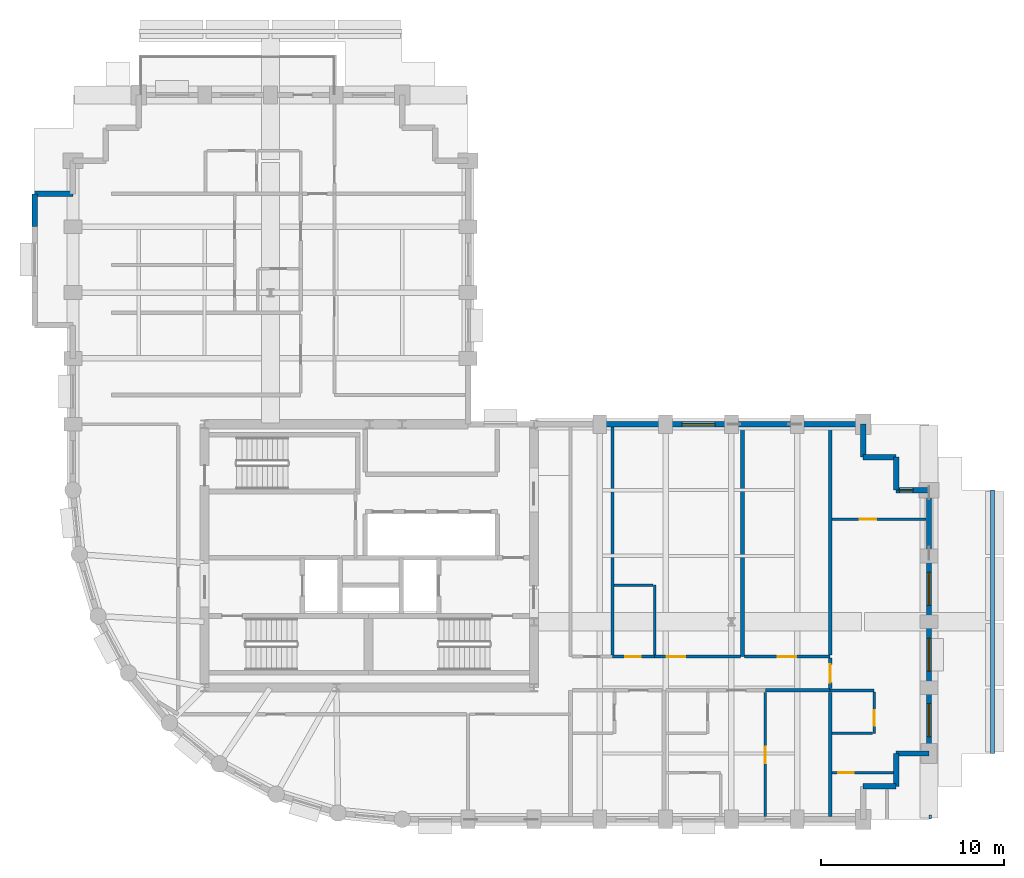
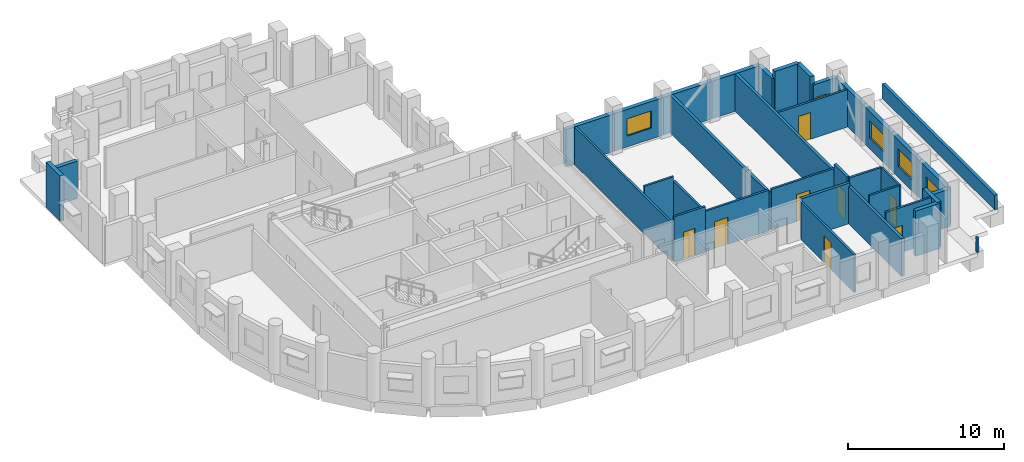
# One storey, part 6 of 10: 36 walls, 8 doors, 5 windows, 13 openings.
"""IFC4 building model written with IfcOpenShell, lengths in metres."""

from ifc_helpers import new_model, si_unit, direction, frame, frame_2d, origin, place, context, subcontext, project, spatial, rectangle, extrude, material, layer, layer_set, type_object, element, fill, save


model = new_model("IFC4")

# Units and contexts
model_context = context("Model", 3, precision=1e-05, world=origin(), true_north=direction((0.0, 1.0)))
body_context = subcontext(model_context, "Body", "Model", "MODEL_VIEW")
ifc_project = project(units=[si_unit("LENGTHUNIT", "METRE"), si_unit("AREAUNIT", "SQUARE_METRE"), si_unit("VOLUMEUNIT", "CUBIC_METRE"), si_unit("PLANEANGLEUNIT", "RADIAN"), si_unit("MASSUNIT", "GRAM", prefix="KILO")], contexts=[model_context])

# Site, building, storey
site_placement = place(None, origin())
site = spatial("IfcSite", under=ifc_project, at=site_placement, CompositionType="ELEMENT")
building_placement = place(site_placement, origin())
building = spatial("IfcBuilding", under=site, at=building_placement, Name="Solnavia Interchange Tower", CompositionType="ELEMENT")
storey_placement = place(building_placement, frame((0.0, 0.0, 127.60009765625)))
storey = spatial("IfcBuildingStorey", under=building, at=storey_placement, Name="L31", CompositionType="ELEMENT", Elevation=127.60009765625)

# Walls
ifc_material_1 = material(Name="Gypsum Acoustic Twin-Stud & Mineral Wool", Category="gypsum")
ifc_layer_1 = layer(ifc_material_1, 0.199951171875)
ifc_layer_set_1 = layer_set([ifc_layer_1], Name="Gypsum Acoustic Twin-Stud & Mineral Wool")
wall_type_1 = type_object("IfcWallType", Name="Wall-ApartmentParty-200", PredefinedType="PARTITIONING", material=ifc_layer_set_1)
wall_1_placement = place(storey_placement, frame((45.050048828125, 10.64990234375, 0.0), z_axis=(0.0, 0.0, 1.0), x_axis=(1.0, 0.0, 0.0)))
element("IfcWall", 1, at=wall_1_placement, inside=storey, type_object=wall_type_1, Name="PTW-L31-23 Interior partition wall", PredefinedType="PARTITIONING", context=body_context, shape_type="SweptSolid", body=[
    extrude(rectangle(XDim=3.550048828125, YDim=0.199951171875, at=frame_2d((1.77490234375, 0.0))), origin(), (0.0, 0.0, 1.0), 3.169921875),
])
wall_2_placement = place(storey_placement, frame((43.800048828125, 12.5, 0.0), z_axis=(0.0, 0.0, 1.0), x_axis=(0.0, 1.0, 0.0)))
element("IfcWall", 2, at=wall_2_placement, inside=storey, type_object=wall_type_1, Name="PTW-L31-27 Interior partition wall", PredefinedType="PARTITIONING", context=body_context, shape_type="SweptSolid", body=[
    extrude(rectangle(XDim=12.5458984375, YDim=0.199951171875, at=frame_2d((6.27294921875, 0.0))), origin(), (0.0, 0.0, 1.0), 2.929931640625),
])
wall_3_placement = place(storey_placement, frame((48.60009765625, 3.75390625, 0.0), z_axis=(0.0, 0.0, 1.0), x_axis=(0.0, 1.0, 0.0)))
element("IfcWall", 3, at=wall_3_placement, inside=storey, type_object=wall_type_1, Name="PTW-L31-30 Interior partition wall", PredefinedType="PARTITIONING", context=body_context, shape_type="SweptSolid", body=[
    extrude(rectangle(XDim=6.7919921875, YDim=0.199951171875, at=frame_2d((3.39599609375, 0.0))), origin(), (0.0, 0.0, 1.0), 2.929931640625),
])
wall_4_placement = place(storey_placement, frame((48.60009765625, 12.5791015625, 0.0), z_axis=(0.0, 0.0, 1.0), x_axis=(0.0, 1.0, 0.0)))
element("IfcWall", 4, at=wall_4_placement, inside=storey, type_object=wall_type_1, Name="PTW-L31-31 Interior partition wall", PredefinedType="PARTITIONING", context=body_context, shape_type="SweptSolid", body=[
    extrude(rectangle(XDim=12.466796875, YDim=0.199951171875, at=frame_2d((6.2333984375, 0.0))), origin(), (0.0, 0.0, 1.0), 2.929931640625),
])

# Wall, opening, door
wall_5_placement = place(storey_placement, frame((48.60009765625, 10.75390625, 0.0), z_axis=(0.0, 0.0, 1.0), x_axis=(0.0, 1.0, 0.0)))
wall_5 = element("IfcWall", 5, at=wall_5_placement, inside=storey, type_object=wall_type_1, Name="PTW-L31-32 Interior partition wall", PredefinedType="PARTITIONING", context=body_context, shape_type="SweptSolid", body=[
    extrude(rectangle(XDim=1.6669921875, YDim=0.199951171875, at=frame_2d((0.83349609375, 0.0))), origin(), (0.0, 0.0, 1.0), 3.534912109375),
])
opening_1_placement = place(wall_5_placement, frame((0.31396484375, 0.0, 0.0)))
opening_1 = element("IfcOpeningElement", 6, at=opening_1_placement, cuts=wall_5, Name="Opening DR-06", PredefinedType="OPENING", context=body_context, shape_type="SweptSolid", body=[
    extrude(rectangle(XDim=1.0, YDim=2.10009765625, at=frame_2d((0.5, 1.050048828125))), frame((0.0, 0.10986328125, 0.0), z_axis=(0.0, -1.0, 0.0), x_axis=(1.0, 0.0, 0.0)), (0.0, 0.0, 1.0), 0.219970703125),
])
ifc_material_2 = material(Name="Engineered Timber Acoustic Fire Door", Category="wood")
door_type_1 = type_object("IfcDoorType", Name="Door-FlatEntry-1000x2100", OperationType="SINGLE_SWING_LEFT", PredefinedType="DOOR", material=ifc_material_2)
door_1_placement = place(opening_1_placement, origin())
door_1 = element("IfcDoor", 7, at=door_1_placement, inside=storey, type_object=door_type_1, Name="DR-L31-14 Interior room door", OperationType="SINGLE_SWING_RIGHT", OverallHeight=2.10009765625, OverallWidth=1.0, PredefinedType="DOOR", context=body_context, shape_type="SweptSolid", body=[
    extrude(rectangle(XDim=1.0, YDim=2.10009765625, at=frame_2d((0.5, 1.050048828125))), frame((0.0, 0.02490234375, 0.0), z_axis=(0.0, -1.0, 0.0), x_axis=(1.0, 0.0, 0.0)), (0.0, 0.0, 1.0), 0.050048828125),
])
fill(opening_1, door_1)

# Walls
ifc_material_3 = material(Name="Concrete C40/50", Category="concrete")
ifc_layer_2 = layer(ifc_material_3, 0.300048828125)
ifc_layer_set_2 = layer_set([ifc_layer_2], Name="Concrete C40/50")
wall_type_2 = type_object("IfcWallType", Name="Wall-ExtSpandrel-300", PredefinedType="STANDARD", material=ifc_layer_set_2)
for number, where, z_axis, x_axis, name in (
    (8, (52.199951171875, 5.39990234375, 0.0), (0.0, 0.0, 1.0), (-1.0, 0.0, 0.0), "EXW-L31-09 Exterior precast spandrel wall"),
    (9, (52.199951171875, 7.199951171875, 0.0), (0.0, 0.0, 1.0), (0.0, -1.0, 0.0), "EXW-L31-10 Exterior precast spandrel wall"),
):
    element("IfcWall", number, at=place(storey_placement, frame(where, z_axis=z_axis, x_axis=x_axis)), inside=storey, type_object=wall_type_2, Name=name, PredefinedType="STANDARD", context=body_context, shape_type="SweptSolid", body=[
        extrude(rectangle(XDim=1.800048828125, YDim=0.300048828125, at=frame_2d((0.89990234375, 0.0))), origin(), (0.0, 0.0, 1.0), 3.534912109375),
    ])
wall_6_placement = place(storey_placement, frame((54.0, 7.199951171875, 0.0), z_axis=(0.0, 0.0, 1.0), x_axis=(-1.0, 0.0, 0.0)))
element("IfcWall", 10, at=wall_6_placement, inside=storey, type_object=wall_type_2, Name="EXW-L31-11 Exterior precast spandrel wall", PredefinedType="STANDARD", context=body_context, shape_type="SweptSolid", body=[
    extrude(rectangle(XDim=1.800048828125, YDim=0.300048828125, at=frame_2d((0.89990234375, 0.0))), origin(), (0.0, 0.0, 1.0), 2.929931640625),
])

# Wall, opening, window
wall_7_placement = place(storey_placement, frame((54.0, 10.800048828125, 0.0), z_axis=(0.0, 0.0, 1.0), x_axis=(0.0, -1.0, 0.0)))
wall_7 = element("IfcWall", 11, at=wall_7_placement, inside=storey, type_object=wall_type_2, Name="EXW-L31-12 Exterior precast spandrel wall", PredefinedType="STANDARD", context=body_context, shape_type="SweptSolid", body=[
    extrude(rectangle(XDim=3.60009765625, YDim=0.300048828125, at=frame_2d((1.800048828125, 0.0))), origin(), (0.0, 0.0, 1.0), 2.929931640625),
])
opening_2_placement = place(wall_7_placement, frame((0.875, 0.0, 0.85009765625)))
opening_2 = element("IfcOpeningElement", 12, at=opening_2_placement, cuts=wall_7, Name="Opening WIN-02", PredefinedType="OPENING", context=body_context, shape_type="SweptSolid", body=[
    extrude(rectangle(XDim=1.800048828125, YDim=1.35009765625, at=frame_2d((0.89990234375, 0.675048828125))), frame((0.0, 0.16015625, 0.0), z_axis=(0.0, -1.0, 0.0), x_axis=(1.0, 0.0, 0.0)), (0.0, 0.0, 1.0), 0.320068359375),
])
ifc_material_4 = material(Name="Thermal-Break Aluminium & Low-E Glass", Category="aluminium")
window_type_1 = type_object("IfcWindowType", Name="Window-Ribbon-1800x1350", PartitioningType="SINGLE_PANEL", PredefinedType="WINDOW", material=ifc_material_4)
window_1_placement = place(opening_2_placement, origin())
window_1 = element("IfcWindow", 13, at=window_1_placement, inside=storey, type_object=window_type_1, Name="WIN-L31-12 Facade ribbon window", OverallHeight=1.35009765625, OverallWidth=1.800048828125, PartitioningType="SINGLE_PANEL", PredefinedType="WINDOW", context=body_context, shape_type="SweptSolid", body=[
    extrude(rectangle(XDim=1.800048828125, YDim=1.35009765625, at=frame_2d((0.89990234375, 0.675048828125))), frame((0.0, 0.030029296875, 0.0), z_axis=(0.0, -1.0, 0.0), x_axis=(1.0, 0.0, 0.0)), (0.0, 0.0, 1.0), 0.06005859375),
])
fill(opening_2, window_1)

wall_8_placement = place(storey_placement, frame((54.0, 14.39990234375, 0.0), z_axis=(0.0, 0.0, 1.0), x_axis=(0.0, -1.0, 0.0)))
wall_8 = element("IfcWall", 14, at=wall_8_placement, inside=storey, type_object=wall_type_2, Name="EXW-L31-13 Exterior precast spandrel wall", PredefinedType="STANDARD", context=body_context, shape_type="SweptSolid", body=[
    extrude(rectangle(XDim=3.599853515625, YDim=0.300048828125, at=frame_2d((1.7998046875, 0.0))), origin(), (0.0, 0.0, 1.0), 2.929931640625),
])
opening_3_placement = place(wall_8_placement, frame((0.89990234375, 0.0, 0.85009765625)))
opening_3 = element("IfcOpeningElement", 15, at=opening_3_placement, cuts=wall_8, Name="Opening WIN-02", PredefinedType="OPENING", context=body_context, shape_type="SweptSolid", body=[
    extrude(rectangle(XDim=1.800048828125, YDim=1.35009765625, at=frame_2d((0.89990234375, 0.675048828125))), frame((0.0, 0.16015625, 0.0), z_axis=(0.0, -1.0, 0.0), x_axis=(1.0, 0.0, 0.0)), (0.0, 0.0, 1.0), 0.320068359375),
])
window_2_placement = place(opening_3_placement, origin())
window_2 = element("IfcWindow", 16, at=window_2_placement, inside=storey, type_object=window_type_1, Name="WIN-L31-13 Facade ribbon window", OverallHeight=1.35009765625, OverallWidth=1.800048828125, PartitioningType="SINGLE_PANEL", PredefinedType="WINDOW", context=body_context, shape_type="SweptSolid", body=[
    extrude(rectangle(XDim=1.800048828125, YDim=1.35009765625, at=frame_2d((0.89990234375, 0.675048828125))), frame((0.0, 0.030029296875, 0.0), z_axis=(0.0, -1.0, 0.0), x_axis=(1.0, 0.0, 0.0)), (0.0, 0.0, 1.0), 0.06005859375),
])
fill(opening_3, window_2)

wall_9_placement = place(storey_placement, frame((54.0, 18.0, 0.0), z_axis=(0.0, 0.0, 1.0), x_axis=(0.0, -1.0, 0.0)))
wall_9 = element("IfcWall", 17, at=wall_9_placement, inside=storey, type_object=wall_type_2, Name="EXW-L31-14 Exterior precast spandrel wall", PredefinedType="STANDARD", context=body_context, shape_type="SweptSolid", body=[
    extrude(rectangle(XDim=3.60009765625, YDim=0.300048828125, at=frame_2d((1.800048828125, 0.0))), origin(), (0.0, 0.0, 1.0), 2.929931640625),
])
opening_4_placement = place(wall_9_placement, frame((0.89990234375, 0.0, 0.85009765625)))
opening_4 = element("IfcOpeningElement", 18, at=opening_4_placement, cuts=wall_9, Name="Opening WIN-02", PredefinedType="OPENING", context=body_context, shape_type="SweptSolid", body=[
    extrude(rectangle(XDim=1.800048828125, YDim=1.35009765625, at=frame_2d((0.89990234375, 0.675048828125))), frame((0.0, 0.16015625, 0.0), z_axis=(0.0, -1.0, 0.0), x_axis=(1.0, 0.0, 0.0)), (0.0, 0.0, 1.0), 0.320068359375),
])
window_3_placement = place(opening_4_placement, origin())
window_3 = element("IfcWindow", 19, at=window_3_placement, inside=storey, type_object=window_type_1, Name="WIN-L31-14 Facade ribbon window", OverallHeight=1.35009765625, OverallWidth=1.800048828125, PartitioningType="SINGLE_PANEL", PredefinedType="WINDOW", context=body_context, shape_type="SweptSolid", body=[
    extrude(rectangle(XDim=1.800048828125, YDim=1.35009765625, at=frame_2d((0.89990234375, 0.675048828125))), frame((0.0, 0.030029296875, 0.0), z_axis=(0.0, -1.0, 0.0), x_axis=(1.0, 0.0, 0.0)), (0.0, 0.0, 1.0), 0.06005859375),
])
fill(opening_4, window_3)

# Wall
wall_10_placement = place(storey_placement, frame((54.0, 21.60009765625, 0.0), z_axis=(0.0, 0.0, 1.0), x_axis=(0.0, -1.0, 0.0)))
element("IfcWall", 20, at=wall_10_placement, inside=storey, type_object=wall_type_2, Name="EXW-L31-15 Exterior precast spandrel wall", PredefinedType="STANDARD", context=body_context, shape_type="SweptSolid", body=[
    extrude(rectangle(XDim=3.60009765625, YDim=0.300048828125, at=frame_2d((1.800048828125, 0.0))), origin(), (0.0, 0.0, 1.0), 2.929931640625),
])

# Wall, opening, window
wall_11_placement = place(storey_placement, frame((52.199951171875, 21.60009765625, 0.0), z_axis=(0.0, 0.0, 1.0), x_axis=(1.0, 0.0, 0.0)))
wall_11 = element("IfcWall", 21, at=wall_11_placement, inside=storey, type_object=wall_type_2, Name="EXW-L31-16 Exterior precast spandrel wall", PredefinedType="STANDARD", context=body_context, shape_type="SweptSolid", body=[
    extrude(rectangle(XDim=1.800048828125, YDim=0.300048828125, at=frame_2d((0.89990234375, 0.0))), origin(), (0.0, 0.0, 1.0), 2.929931640625),
])
opening_5_placement = place(wall_11_placement, frame((0.179931640625, 0.0, 0.85009765625)))
opening_5 = element("IfcOpeningElement", 22, at=opening_5_placement, cuts=wall_11, Name="Opening WIN-08", PredefinedType="OPENING", context=body_context, shape_type="SweptSolid", body=[
    extrude(rectangle(XDim=0.75, YDim=1.050048828125, at=frame_2d((0.375, 0.52490234375))), frame((0.0, 0.16015625, 0.0), z_axis=(0.0, -1.0, 0.0), x_axis=(1.0, 0.0, 0.0)), (0.0, 0.0, 1.0), 0.320068359375),
])
window_type_2 = type_object("IfcWindowType", Name="Window-Bedroom-750x1050", PartitioningType="SINGLE_PANEL", PredefinedType="WINDOW", material=ifc_material_4)
window_4_placement = place(opening_5_placement, origin())
window_4 = element("IfcWindow", 23, at=window_4_placement, inside=storey, type_object=window_type_2, Name="WIN-L31-DW02 Dwelling bedroom window", OverallHeight=1.050048828125, OverallWidth=0.75, PartitioningType="SINGLE_PANEL", PredefinedType="WINDOW", context=body_context, shape_type="SweptSolid", body=[
    extrude(rectangle(XDim=0.75, YDim=1.050048828125, at=frame_2d((0.375, 0.52490234375))), frame((0.0, 0.030029296875, 0.0), z_axis=(0.0, -1.0, 0.0), x_axis=(1.0, 0.0, 0.0)), (0.0, 0.0, 1.0), 0.06005859375),
])
fill(opening_5, window_4)

# Walls
wall_12_placement = place(storey_placement, frame((52.199951171875, 23.39990234375, 0.0), z_axis=(0.0, 0.0, 1.0), x_axis=(0.0, -1.0, 0.0)))
element("IfcWall", 24, at=wall_12_placement, inside=storey, type_object=wall_type_2, Name="EXW-L31-17 Exterior precast spandrel wall", PredefinedType="STANDARD", context=body_context, shape_type="SweptSolid", body=[
    extrude(rectangle(XDim=1.7998046875, YDim=0.300048828125, at=frame_2d((0.89990234375, 0.0))), origin(), (0.0, 0.0, 1.0), 3.534912109375),
])
wall_13_placement = place(storey_placement, frame((50.39990234375, 23.39990234375, 0.0), z_axis=(0.0, 0.0, 1.0), x_axis=(1.0, 0.0, 0.0)))
element("IfcWall", 25, at=wall_13_placement, inside=storey, type_object=wall_type_2, Name="EXW-L31-18 Exterior precast spandrel wall", PredefinedType="STANDARD", context=body_context, shape_type="SweptSolid", body=[
    extrude(rectangle(XDim=1.800048828125, YDim=0.300048828125, at=frame_2d((0.89990234375, 0.0))), origin(), (0.0, 0.0, 1.0), 3.534912109375),
])
wall_14_placement = place(storey_placement, frame((50.39990234375, 25.199951171875, 0.0), z_axis=(0.0, 0.0, 1.0), x_axis=(0.0, -1.0, 0.0)))
element("IfcWall", 26, at=wall_14_placement, inside=storey, type_object=wall_type_2, Name="EXW-L31-19 Exterior precast spandrel wall", PredefinedType="STANDARD", context=body_context, shape_type="SweptSolid", body=[
    extrude(rectangle(XDim=1.800048828125, YDim=0.300048828125, at=frame_2d((0.89990234375, 0.0))), origin(), (0.0, 0.0, 1.0), 2.929931640625),
])
wall_15_placement = place(storey_placement, frame((46.800048828125, 25.199951171875, 0.0), z_axis=(0.0, 0.0, 1.0), x_axis=(1.0, 0.0, 0.0)))
element("IfcWall", 27, at=wall_15_placement, inside=storey, type_object=wall_type_2, Name="EXW-L31-20 Exterior precast spandrel wall", PredefinedType="STANDARD", context=body_context, shape_type="SweptSolid", body=[
    extrude(rectangle(XDim=3.599853515625, YDim=0.300048828125, at=frame_2d((1.7998046875, 0.0))), origin(), (0.0, 0.0, 1.0), 2.929931640625),
])
wall_16_placement = place(storey_placement, frame((43.199951171875, 25.199951171875, 0.0), z_axis=(0.0, 0.0, 1.0), x_axis=(1.0, 0.0, 0.0)))
element("IfcWall", 28, at=wall_16_placement, inside=storey, type_object=wall_type_2, Name="EXW-L31-21 Exterior precast spandrel wall", PredefinedType="STANDARD", context=body_context, shape_type="SweptSolid", body=[
    extrude(rectangle(XDim=3.60009765625, YDim=0.300048828125, at=frame_2d((1.800048828125, 0.0))), origin(), (0.0, 0.0, 1.0), 2.929931640625),
])

# Wall, opening, window
wall_17_placement = place(storey_placement, frame((39.60009765625, 25.199951171875, 0.0), z_axis=(0.0, 0.0, 1.0), x_axis=(1.0, 0.0, 0.0)))
wall_17 = element("IfcWall", 29, at=wall_17_placement, inside=storey, type_object=wall_type_2, Name="EXW-L31-22 Exterior precast spandrel wall", PredefinedType="STANDARD", context=body_context, shape_type="SweptSolid", body=[
    extrude(rectangle(XDim=3.599853515625, YDim=0.300048828125, at=frame_2d((1.7998046875, 0.0))), origin(), (0.0, 0.0, 1.0), 2.929931640625),
])
opening_6_placement = place(wall_17_placement, frame((0.89990234375, 0.0, 0.85009765625)))
opening_6 = element("IfcOpeningElement", 30, at=opening_6_placement, cuts=wall_17, Name="Opening WIN-02", PredefinedType="OPENING", context=body_context, shape_type="SweptSolid", body=[
    extrude(rectangle(XDim=1.800048828125, YDim=1.35009765625, at=frame_2d((0.89990234375, 0.675048828125))), frame((0.0, 0.16015625, 0.0), z_axis=(0.0, -1.0, 0.0), x_axis=(1.0, 0.0, 0.0)), (0.0, 0.0, 1.0), 0.320068359375),
])
window_5_placement = place(opening_6_placement, origin())
window_5 = element("IfcWindow", 31, at=window_5_placement, inside=storey, type_object=window_type_1, Name="WIN-L31-22 Facade ribbon window", OverallHeight=1.35009765625, OverallWidth=1.800048828125, PartitioningType="SINGLE_PANEL", PredefinedType="WINDOW", context=body_context, shape_type="SweptSolid", body=[
    extrude(rectangle(XDim=1.800048828125, YDim=1.35009765625, at=frame_2d((0.89990234375, 0.675048828125))), frame((0.0, 0.030029296875, 0.0), z_axis=(0.0, -1.0, 0.0), x_axis=(1.0, 0.0, 0.0)), (0.0, 0.0, 1.0), 0.06005859375),
])
fill(opening_6, window_5)

# Walls
wall_18_placement = place(storey_placement, frame((36.0, 25.199951171875, 0.0), z_axis=(0.0, 0.0, 1.0), x_axis=(1.0, 0.0, 0.0)))
element("IfcWall", 32, at=wall_18_placement, inside=storey, type_object=wall_type_2, Name="EXW-L31-23 Exterior precast spandrel wall", PredefinedType="STANDARD", context=body_context, shape_type="SweptSolid", body=[
    extrude(rectangle(XDim=3.60009765625, YDim=0.300048828125, at=frame_2d((1.800048828125, 0.0))), origin(), (0.0, 0.0, 1.0), 2.929931640625),
])
wall_19_placement = place(storey_placement, frame((5.10009765625, 37.800048828125, 0.0), z_axis=(0.0, 0.0, 1.0), x_axis=(1.0, 0.0, 0.0)))
element("IfcWall", 33, at=wall_19_placement, inside=storey, type_object=wall_type_2, Name="EXW-L31-43 Exterior precast spandrel wall", PredefinedType="STANDARD", context=body_context, shape_type="SweptSolid", body=[
    extrude(rectangle(XDim=2.099853515625, YDim=0.300048828125, at=frame_2d((1.0498046875, 0.0))), origin(), (0.0, 0.0, 1.0), 2.929931640625),
])
wall_20_placement = place(storey_placement, frame((5.10009765625, 36.0, 0.0), z_axis=(0.0, 0.0, 1.0), x_axis=(0.0, 1.0, 0.0)))
element("IfcWall", 34, at=wall_20_placement, inside=storey, type_object=wall_type_2, Name="EXW-L31-44 Exterior precast spandrel wall", PredefinedType="STANDARD", context=body_context, shape_type="SweptSolid", body=[
    extrude(rectangle(XDim=1.800048828125, YDim=0.300048828125, at=frame_2d((0.89990234375, 0.0))), origin(), (0.0, 0.0, 1.0), 3.534912109375),
])
ifc_layer_3 = layer(ifc_material_3, 0.219970703125)
ifc_layer_set_3 = layer_set([ifc_layer_3], Name="Concrete C40/50")
wall_type_3 = type_object("IfcWallType", Name="Wall-Parapet-220", PredefinedType="PARAPET", material=ifc_layer_set_3)
wall_21_placement = place(storey_placement, frame((54.14990234375, 3.719970703125, 0.0), z_axis=(0.0, 0.0, 1.0), x_axis=(-1.0, 0.0, 0.0)))
element("IfcWall", 35, at=wall_21_placement, inside=storey, type_object=wall_type_3, Name="PRP-L31-E1 Setback roof parapet", PredefinedType="PARAPET", context=body_context, shape_type="SweptSolid", body=[
    extrude(rectangle(XDim=0.14990234375, YDim=0.219970703125, at=frame_2d((0.074951171875, 0.0))), origin(), (0.0, 0.0, 1.0), 1.14990234375),
])
wall_22_placement = place(storey_placement, frame((57.47998046875, 7.199951171875, 0.0), z_axis=(0.0, 0.0, 1.0), x_axis=(0.0, 1.0, 0.0)))
element("IfcWall", 36, at=wall_22_placement, inside=storey, type_object=wall_type_3, Name="PRP-L31-E2 Setback roof parapet", PredefinedType="PARAPET", context=body_context, shape_type="SweptSolid", body=[
    extrude(rectangle(XDim=14.400146484375, YDim=0.219970703125, at=frame_2d((7.2001953125, 0.0))), origin(), (0.0, 0.0, 1.0), 1.14990234375),
])

# Wall, opening, door
ifc_material_5 = material(Name="Gypsum Plasterboard & Steel Stud", Category="steel")
ifc_layer_4 = layer(ifc_material_5, 0.14990234375)
ifc_layer_set_4 = layer_set([ifc_layer_4], Name="Gypsum Plasterboard & Steel Stud")
wall_type_4 = type_object("IfcWallType", Name="Wall-Partition-150", PredefinedType="PARTITIONING", material=ifc_layer_set_4)
wall_23_placement = place(storey_placement, frame((45.050048828125, 3.75390625, 0.0), z_axis=(0.0, 0.0, 1.0), x_axis=(0.0, 1.0, 0.0)))
wall_23 = element("IfcWall", 37, at=wall_23_placement, inside=storey, type_object=wall_type_4, Name="PTW-L31-24 Interior partition wall", PredefinedType="PARTITIONING", context=body_context, shape_type="SweptSolid", body=[
    extrude(rectangle(XDim=6.7919921875, YDim=0.14990234375, at=frame_2d((3.39599609375, 0.0))), origin(), (0.0, 0.0, 1.0), 2.929931640625),
])
opening_7_placement = place(wall_23_placement, frame((2.9208984375, 0.0, 0.0)))
opening_7 = element("IfcOpeningElement", 38, at=opening_7_placement, cuts=wall_23, Name="Opening DR-09", PredefinedType="OPENING", context=body_context, shape_type="SweptSolid", body=[
    extrude(rectangle(XDim=0.89990234375, YDim=2.10009765625, at=frame_2d((0.449951171875, 1.050048828125))), frame((0.0, 0.0849609375, 0.0), z_axis=(0.0, -1.0, 0.0), x_axis=(1.0, 0.0, 0.0)), (0.0, 0.0, 1.0), 0.169921875),
])
ifc_material_6 = material(Name="Engineered Oak Veneer Door", Category="wood")
door_type_2 = type_object("IfcDoorType", Name="Door-Internal-900x2100", OperationType="SINGLE_SWING_LEFT", PredefinedType="DOOR", material=ifc_material_6)
door_2_placement = place(opening_7_placement, origin())
door_2 = element("IfcDoor", 39, at=door_2_placement, inside=storey, type_object=door_type_2, Name="DR-L31-10 Interior room door", OperationType="SINGLE_SWING_RIGHT", OverallHeight=2.10009765625, OverallWidth=0.89990234375, PredefinedType="DOOR", context=body_context, shape_type="SweptSolid", body=[
    extrude(rectangle(XDim=0.89990234375, YDim=2.10009765625, at=frame_2d((0.449951171875, 1.050048828125))), frame((0.0, 0.02490234375, 0.0), z_axis=(0.0, -1.0, 0.0), x_axis=(1.0, 0.0, 0.0)), (0.0, 0.0, 1.0), 0.050048828125),
])
fill(opening_7, door_2)

wall_24_placement = place(storey_placement, frame((39.0, 12.5, 0.0), z_axis=(0.0, 0.0, 1.0), x_axis=(1.0, 0.0, 0.0)))
wall_24 = element("IfcWall", 40, at=wall_24_placement, inside=storey, type_object=wall_type_4, Name="PTW-L31-28 Interior partition wall", PredefinedType="PARTITIONING", context=body_context, shape_type="SweptSolid", body=[
    extrude(rectangle(XDim=4.696044921875, YDim=0.14990234375, at=frame_2d((2.34814453125, 0.0))), origin(), (0.0, 0.0, 1.0), 3.169921875),
])
opening_8_placement = place(wall_24_placement, frame((0.676025390625, 0.0, 0.0)))
opening_8 = element("IfcOpeningElement", 41, at=opening_8_placement, cuts=wall_24, Name="Opening DR-07", PredefinedType="OPENING", context=body_context, shape_type="SweptSolid", body=[
    extrude(rectangle(XDim=1.0, YDim=2.10009765625, at=frame_2d((0.5, 1.050048828125))), frame((0.0, 0.0849609375, 0.0), z_axis=(0.0, -1.0, 0.0), x_axis=(1.0, 0.0, 0.0)), (0.0, 0.0, 1.0), 0.169921875),
])
ifc_material_7 = material(Name="Timber & Acoustic Glazed Office Door", Category="wood")
door_type_3 = type_object("IfcDoorType", Name="Door-Office-1000x2100", OperationType="SINGLE_SWING_RIGHT", PredefinedType="DOOR", material=ifc_material_7)
door_3_placement = place(opening_8_placement, origin())
door_3 = element("IfcDoor", 42, at=door_3_placement, inside=storey, type_object=door_type_3, Name="DR-L31-12 Interior room door", OperationType="SINGLE_SWING_RIGHT", OverallHeight=2.10009765625, OverallWidth=1.0, PredefinedType="DOOR", context=body_context, shape_type="SweptSolid", body=[
    extrude(rectangle(XDim=1.0, YDim=2.10009765625, at=frame_2d((0.5, 1.050048828125))), frame((0.0, 0.02490234375, 0.0), z_axis=(0.0, -1.0, 0.0), x_axis=(1.0, 0.0, 0.0)), (0.0, 0.0, 1.0), 0.050048828125),
])
fill(opening_8, door_3)

wall_25_placement = place(storey_placement, frame((43.904052734375, 12.5, 0.0), z_axis=(0.0, 0.0, 1.0), x_axis=(1.0, 0.0, 0.0)))
wall_25 = element("IfcWall", 43, at=wall_25_placement, inside=storey, type_object=wall_type_4, Name="PTW-L31-29 Interior partition wall", PredefinedType="PARTITIONING", context=body_context, shape_type="SweptSolid", body=[
    extrude(rectangle(XDim=4.696044921875, YDim=0.14990234375, at=frame_2d((2.34814453125, 0.0))), origin(), (0.0, 0.0, 1.0), 3.169921875),
])
opening_9_placement = place(wall_25_placement, frame((1.8349609375, 0.0, 0.0)))
opening_9 = element("IfcOpeningElement", 44, at=opening_9_placement, cuts=wall_25, Name="Opening DR-07", PredefinedType="OPENING", context=body_context, shape_type="SweptSolid", body=[
    extrude(rectangle(XDim=1.0, YDim=2.10009765625, at=frame_2d((0.5, 1.050048828125))), frame((0.0, 0.0849609375, 0.0), z_axis=(0.0, -1.0, 0.0), x_axis=(1.0, 0.0, 0.0)), (0.0, 0.0, 1.0), 0.169921875),
])
door_4_placement = place(opening_9_placement, origin())
door_4 = element("IfcDoor", 45, at=door_4_placement, inside=storey, type_object=door_type_3, Name="DR-L31-13 Interior room door", OperationType="SINGLE_SWING_RIGHT", OverallHeight=2.10009765625, OverallWidth=1.0, PredefinedType="DOOR", context=body_context, shape_type="SweptSolid", body=[
    extrude(rectangle(XDim=1.0, YDim=2.10009765625, at=frame_2d((0.5, 1.050048828125))), frame((0.0, 0.02490234375, 0.0), z_axis=(0.0, -1.0, 0.0), x_axis=(1.0, 0.0, 0.0)), (0.0, 0.0, 1.0), 0.050048828125),
])
fill(opening_9, door_4)

wall_26_placement = place(storey_placement, frame((48.7041015625, 20.0, 0.0), z_axis=(0.0, 0.0, 1.0), x_axis=(1.0, 0.0, 0.0)))
wall_26 = element("IfcWall", 46, at=wall_26_placement, inside=storey, type_object=wall_type_4, Name="PTW-L31-36 Interior partition wall", PredefinedType="PARTITIONING", context=body_context, shape_type="SweptSolid", body=[
    extrude(rectangle(XDim=5.141845703125, YDim=0.14990234375, at=frame_2d((2.57080078125, 0.0))), origin(), (0.0, 0.0, 1.0), 2.929931640625),
])
opening_10_placement = place(wall_26_placement, frame((1.51611328125, 0.0, 0.0)))
opening_10 = element("IfcOpeningElement", 47, at=opening_10_placement, cuts=wall_26, Name="Opening DR-09", PredefinedType="OPENING", context=body_context, shape_type="SweptSolid", body=[
    extrude(rectangle(XDim=0.89990234375, YDim=2.10009765625, at=frame_2d((0.449951171875, 1.050048828125))), frame((0.0, 0.0849609375, 0.0), z_axis=(0.0, -1.0, 0.0), x_axis=(1.0, 0.0, 0.0)), (0.0, 0.0, 1.0), 0.169921875),
])
door_5_placement = place(opening_10_placement, origin())
door_5 = element("IfcDoor", 48, at=door_5_placement, inside=storey, type_object=door_type_2, Name="DR-L31-16 Interior room door", OperationType="SINGLE_SWING_LEFT", OverallHeight=2.10009765625, OverallWidth=0.89990234375, PredefinedType="DOOR", context=body_context, shape_type="SweptSolid", body=[
    extrude(rectangle(XDim=0.89990234375, YDim=2.10009765625, at=frame_2d((0.449951171875, 1.050048828125))), frame((0.0, 0.02490234375, 0.0), z_axis=(0.0, -1.0, 0.0), x_axis=(1.0, 0.0, 0.0)), (0.0, 0.0, 1.0), 0.050048828125),
])
fill(opening_10, door_5)

# Wall
ifc_material_8 = material(Name="Moisture-Resistant Gypsum & Steel Stud", Category="steel")
ifc_layer_5 = layer(ifc_material_8, 0.14990234375)
ifc_layer_set_5 = layer_set([ifc_layer_5], Name="Moisture-Resistant Gypsum & Steel Stud")
wall_type_5 = type_object("IfcWallType", Name="Wall-WetRoom-150", PredefinedType="PARTITIONING", material=ifc_layer_set_5)
wall_27_placement = place(storey_placement, frame((36.699951171875, 12.5791015625, 0.0), z_axis=(0.0, 0.0, 1.0), x_axis=(0.0, 1.0, 0.0)))
element("IfcWall", 49, at=wall_27_placement, inside=storey, type_object=wall_type_5, Name="PTW-L31-03 Interior partition wall", PredefinedType="PARTITIONING", context=body_context, shape_type="SweptSolid", body=[
    extrude(rectangle(XDim=12.466796875, YDim=0.14990234375, at=frame_2d((6.2333984375, 0.0))), origin(), (0.0, 0.0, 1.0), 2.929931640625),
])

# Wall, opening, door
wall_28_placement = place(storey_placement, frame((36.699951171875, 12.5, 0.0), z_axis=(0.0, 0.0, 1.0), x_axis=(1.0, 0.0, 0.0)))
wall_28 = element("IfcWall", 50, at=wall_28_placement, inside=storey, type_object=wall_type_5, Name="PTW-L31-04 Interior partition wall", PredefinedType="PARTITIONING", context=body_context, shape_type="SweptSolid", body=[
    extrude(rectangle(XDim=2.300048828125, YDim=0.14990234375, at=frame_2d((1.14990234375, 0.0))), origin(), (0.0, 0.0, 1.0), 3.534912109375),
])
opening_11_placement = place(wall_28_placement, frame((0.697021484375, 0.0, 0.0)))
opening_11 = element("IfcOpeningElement", 51, at=opening_11_placement, cuts=wall_28, Name="Opening DR-10", PredefinedType="OPENING", context=body_context, shape_type="SweptSolid", body=[
    extrude(rectangle(XDim=0.85009765625, YDim=2.10009765625, at=frame_2d((0.425048828125, 1.050048828125))), frame((0.0, 0.0849609375, 0.0), z_axis=(0.0, -1.0, 0.0), x_axis=(1.0, 0.0, 0.0)), (0.0, 0.0, 1.0), 0.169921875),
])
ifc_material_9 = material(Name="Moisture-Resistant Timber Door", Category="wood")
door_type_4 = type_object("IfcDoorType", Name="Door-Bathroom-850x2100", OperationType="SINGLE_SWING_RIGHT", PredefinedType="DOOR", material=ifc_material_9)
door_6_placement = place(opening_11_placement, origin())
door_6 = element("IfcDoor", 52, at=door_6_placement, inside=storey, type_object=door_type_4, Name="DR-L31-02 Interior room door", OperationType="SINGLE_SWING_RIGHT", OverallHeight=2.10009765625, OverallWidth=0.85009765625, PredefinedType="DOOR", context=body_context, shape_type="SweptSolid", body=[
    extrude(rectangle(XDim=0.85009765625, YDim=2.10009765625, at=frame_2d((0.425048828125, 1.050048828125))), frame((0.0, 0.02490234375, 0.0), z_axis=(0.0, -1.0, 0.0), x_axis=(1.0, 0.0, 0.0)), (0.0, 0.0, 1.0), 0.050048828125),
])
fill(opening_11, door_6)

# Walls
wall_29_placement = place(storey_placement, frame((39.0, 12.5791015625, 0.0), z_axis=(0.0, 0.0, 1.0), x_axis=(0.0, 1.0, 0.0)))
element("IfcWall", 53, at=wall_29_placement, inside=storey, type_object=wall_type_5, Name="PTW-L31-05 Interior partition wall", PredefinedType="PARTITIONING", context=body_context, shape_type="SweptSolid", body=[
    extrude(rectangle(XDim=3.82080078125, YDim=0.14990234375, at=frame_2d((1.910400390625, 0.0))), origin(), (0.0, 0.0, 1.0), 3.169921875),
])
wall_30_placement = place(storey_placement, frame((36.779052734375, 16.39990234375, 0.0), z_axis=(0.0, 0.0, 1.0), x_axis=(1.0, 0.0, 0.0)))
element("IfcWall", 54, at=wall_30_placement, inside=storey, type_object=wall_type_5, Name="PTW-L31-06 Interior partition wall", PredefinedType="PARTITIONING", context=body_context, shape_type="SweptSolid", body=[
    extrude(rectangle(XDim=2.141845703125, YDim=0.14990234375, at=frame_2d((1.07080078125, 0.0))), origin(), (0.0, 0.0, 1.0), 3.534912109375),
])
wall_31_placement = place(storey_placement, frame((48.60009765625, 10.64990234375, 0.0), z_axis=(0.0, 0.0, 1.0), x_axis=(1.0, 0.0, 0.0)))
element("IfcWall", 55, at=wall_31_placement, inside=storey, type_object=wall_type_5, Name="PTW-L31-33 Interior partition wall", PredefinedType="PARTITIONING", context=body_context, shape_type="SweptSolid", body=[
    extrude(rectangle(XDim=2.39990234375, YDim=0.14990234375, at=frame_2d((1.199951171875, 0.0))), origin(), (0.0, 0.0, 1.0), 3.534912109375),
])

# Wall, opening, door
wall_32_placement = place(storey_placement, frame((51.0, 8.300048828125, 0.0), z_axis=(0.0, 0.0, 1.0), x_axis=(0.0, 1.0, 0.0)))
wall_32 = element("IfcWall", 56, at=wall_32_placement, inside=storey, type_object=wall_type_5, Name="PTW-L31-34 Interior partition wall", PredefinedType="PARTITIONING", context=body_context, shape_type="SweptSolid", body=[
    extrude(rectangle(XDim=2.27099609375, YDim=0.14990234375, at=frame_2d((1.135498046875, 0.0))), origin(), (0.0, 0.0, 1.0), 3.534912109375),
])
opening_12_placement = place(wall_32_placement, frame((0.419921875, 0.0, 0.0)))
opening_12 = element("IfcOpeningElement", 57, at=opening_12_placement, cuts=wall_32, Name="Opening DR-10", PredefinedType="OPENING", context=body_context, shape_type="SweptSolid", body=[
    extrude(rectangle(XDim=0.85009765625, YDim=2.10009765625, at=frame_2d((0.425048828125, 1.050048828125))), frame((0.0, 0.0849609375, 0.0), z_axis=(0.0, -1.0, 0.0), x_axis=(1.0, 0.0, 0.0)), (0.0, 0.0, 1.0), 0.169921875),
])
door_7_placement = place(opening_12_placement, origin())
door_7 = element("IfcDoor", 58, at=door_7_placement, inside=storey, type_object=door_type_4, Name="DR-L31-15 Interior room door", OperationType="SINGLE_SWING_RIGHT", OverallHeight=2.10009765625, OverallWidth=0.85009765625, PredefinedType="DOOR", context=body_context, shape_type="SweptSolid", body=[
    extrude(rectangle(XDim=0.85009765625, YDim=2.10009765625, at=frame_2d((0.425048828125, 1.050048828125))), frame((0.0, 0.02490234375, 0.0), z_axis=(0.0, -1.0, 0.0), x_axis=(1.0, 0.0, 0.0)), (0.0, 0.0, 1.0), 0.050048828125),
])
fill(opening_12, door_7)

# Wall
wall_33_placement = place(storey_placement, frame((48.7041015625, 8.300048828125, 0.0), z_axis=(0.0, 0.0, 1.0), x_axis=(1.0, 0.0, 0.0)))
element("IfcWall", 59, at=wall_33_placement, inside=storey, type_object=wall_type_5, Name="PTW-L31-35 Interior partition wall", PredefinedType="PARTITIONING", context=body_context, shape_type="SweptSolid", body=[
    extrude(rectangle(XDim=2.216796875, YDim=0.14990234375, at=frame_2d((1.1083984375, 0.0))), origin(), (0.0, 0.0, 1.0), 3.534912109375),
])

# Wall, opening, door
wall_34_placement = place(storey_placement, frame((48.7041015625, 6.14990234375, 0.0), z_axis=(0.0, 0.0, 1.0), x_axis=(1.0, 0.0, 0.0)))
wall_34 = element("IfcWall", 60, at=wall_34_placement, inside=storey, type_object=wall_type_5, Name="PTW-L31-37 Interior partition wall", PredefinedType="PARTITIONING", context=body_context, shape_type="SweptSolid", body=[
    extrude(rectangle(XDim=3.341796875, YDim=0.14990234375, at=frame_2d((1.6708984375, 0.0))), origin(), (0.0, 0.0, 1.0), 3.534912109375),
])
opening_13_placement = place(wall_34_placement, frame((0.333984375, 0.0, 0.0)))
opening_13 = element("IfcOpeningElement", 61, at=opening_13_placement, cuts=wall_34, Name="Opening DR-10", PredefinedType="OPENING", context=body_context, shape_type="SweptSolid", body=[
    extrude(rectangle(XDim=0.85009765625, YDim=2.10009765625, at=frame_2d((0.425048828125, 1.050048828125))), frame((0.0, 0.0849609375, 0.0), z_axis=(0.0, -1.0, 0.0), x_axis=(1.0, 0.0, 0.0)), (0.0, 0.0, 1.0), 0.169921875),
])
door_8_placement = place(opening_13_placement, origin())
door_8 = element("IfcDoor", 62, at=door_8_placement, inside=storey, type_object=door_type_4, Name="DR-L31-17 Interior room door", OperationType="SINGLE_SWING_RIGHT", OverallHeight=2.10009765625, OverallWidth=0.85009765625, PredefinedType="DOOR", context=body_context, shape_type="SweptSolid", body=[
    extrude(rectangle(XDim=0.85009765625, YDim=2.10009765625, at=frame_2d((0.425048828125, 1.050048828125))), frame((0.0, 0.02490234375, 0.0), z_axis=(0.0, -1.0, 0.0), x_axis=(1.0, 0.0, 0.0)), (0.0, 0.0, 1.0), 0.050048828125),
])
fill(opening_13, door_8)

save(model, "model.ifc")
